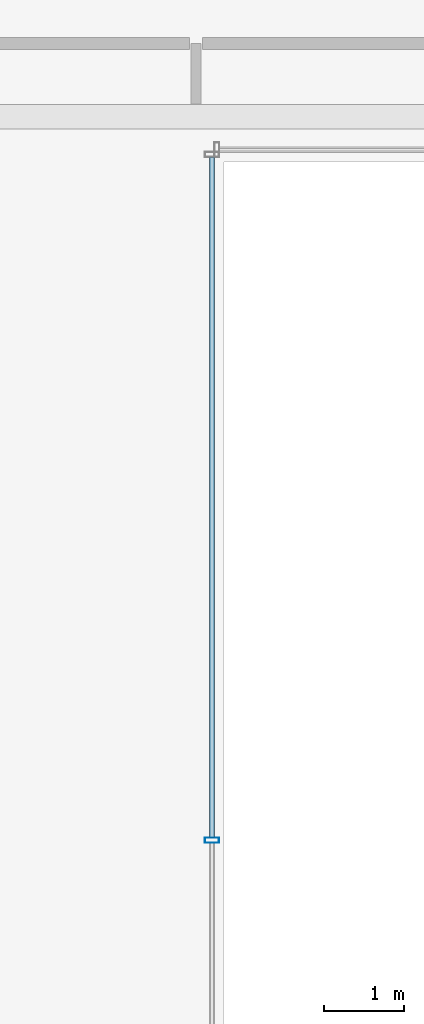
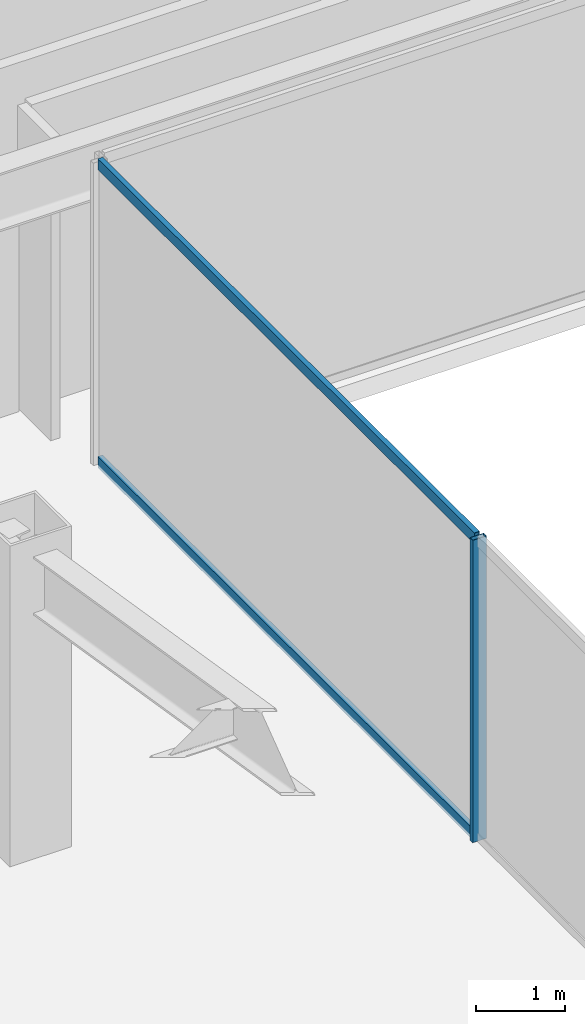
# One storey, part 14 of 47: 3 members, 1 element without a shape of its own.
"""IFC4 building model written with IfcOpenShell, lengths in metres."""

from ifc_helpers import new_model, si_unit, direction, frame, origin, origin_2d, place, context, subcontext, project, spatial, hollow_rectangle, extrude, material, material_profile, profile_set, type_object, element, aggregate, save


model = new_model("IFC4")

# Units and contexts
model_context = context("Model", 3, precision=1e-05, world=origin(), true_north=direction((0.0, 1.0)))
body_context = subcontext(model_context, "Body", "Model", "MODEL_VIEW")
ifc_project = project(units=[si_unit("LENGTHUNIT", "METRE"), si_unit("AREAUNIT", "SQUARE_METRE"), si_unit("VOLUMEUNIT", "CUBIC_METRE"), si_unit("PLANEANGLEUNIT", "RADIAN"), si_unit("MASSUNIT", "GRAM", prefix="KILO")], contexts=[model_context])

# Site, building, storey
site_placement = place(None, origin())
site = spatial("IfcSite", under=ifc_project, at=site_placement, CompositionType="ELEMENT")
building_placement = place(site_placement, origin())
building = spatial("IfcBuilding", under=site, at=building_placement, Name="Saevonmaru Cultural Tower", CompositionType="ELEMENT")
storey_placement = place(building_placement, frame((0.0, 0.0, 64.800048828125)))
storey = spatial("IfcBuildingStorey", under=building, at=storey_placement, Name="L13", CompositionType="ELEMENT", Elevation=64.800048828125)

# Curtain wall, members
ifc_material = material(Name="Satin Bronze Anodised Aluminium", Category="aluminium")
curtain_wall_type = type_object("IfcCurtainWallType", Name="CW-ATR-GLZ", PredefinedType="NOTDEFINED", material=ifc_material)
curtain_wall_placement = place(storey_placement, origin())
curtain_wall = element("IfcCurtainWall", 1, at=curtain_wall_placement, inside=storey, type_object=curtain_wall_type, Name="L13 Vertical Atrium Glazed Smoke Screen 4", PredefinedType="NOTDEFINED")
ifc_material_profile_1 = material_profile(ifc_material, hollow_rectangle(XDim=0.06494140625, YDim=0.179931640625, WallThickness=0.00390625, at=origin_2d()), Name="ALU-MULL-180x65x4")
ifc_profile_set_1 = profile_set([ifc_material_profile_1], Name="Satin Bronze Anodised Aluminium")
member_type_1 = type_object("IfcMemberType", Name="ML-CW-INT-180x65", PredefinedType="MULLION", material=ifc_profile_set_1)
member_1_placement = place(storey_placement, frame((24.050048828125, 29.43994140625, 0.0), z_axis=(0.0, 0.0, 1.0), x_axis=(0.0, -1.0, 0.0)))
member_1 = element("IfcMember", 2, at=member_1_placement, type_object=member_type_1, Name="CW-ATR-L13-4 mullion 2", PredefinedType="MULLION", context=body_context, shape_type="SweptSolid", body=[
    extrude(hollow_rectangle(XDim=0.06494140625, YDim=0.179931640625, WallThickness=0.00390625, at=origin_2d()), origin(), (0.0, 0.0, 1.0), 4.14990234375),
])
ifc_material_profile_2 = material_profile(ifc_material, hollow_rectangle(XDim=0.06494140625, YDim=0.14990234375, WallThickness=0.00390625, at=origin_2d()), Name="ALU-TRAN-150x65x4")
ifc_profile_set_2 = profile_set([ifc_material_profile_2], Name="Satin Bronze Anodised Aluminium")
member_type_2 = type_object("IfcMemberType", Name="TR-CW-INT-150x65", PredefinedType="USERDEFINED", material=ifc_profile_set_2)
member_2_placement = place(storey_placement, frame((24.050048828125, 37.9375, 0.032470703125), z_axis=(0.0, -1.0, 0.0), x_axis=(1.0, 0.0, 0.0)))
member_2 = element("IfcMember", 3, at=member_2_placement, type_object=member_type_2, Name="CW-ATR-L13-4 transom 1.1", ObjectType="TRANSOM", PredefinedType="USERDEFINED", context=body_context, shape_type="SweptSolid", body=[
    extrude(hollow_rectangle(XDim=0.06494140625, YDim=0.14990234375, WallThickness=0.00390625, at=origin_2d()), origin(), (0.0, 0.0, 1.0), 8.465087890625),
])
member_3_placement = place(storey_placement, frame((24.050048828125, 37.9375, 4.117431640625), z_axis=(0.0, -1.0, 0.0), x_axis=(1.0, 0.0, 0.0)))
member_3 = element("IfcMember", 4, at=member_3_placement, type_object=member_type_2, Name="CW-ATR-L13-4 transom 1.2", ObjectType="TRANSOM", PredefinedType="USERDEFINED", context=body_context, shape_type="SweptSolid", body=[
    extrude(hollow_rectangle(XDim=0.06494140625, YDim=0.14990234375, WallThickness=0.00390625, at=origin_2d()), origin(), (0.0, 0.0, 1.0), 8.465087890625),
])
aggregate(curtain_wall, [member_1, member_2, member_3])

save(model, "model.ifc")
